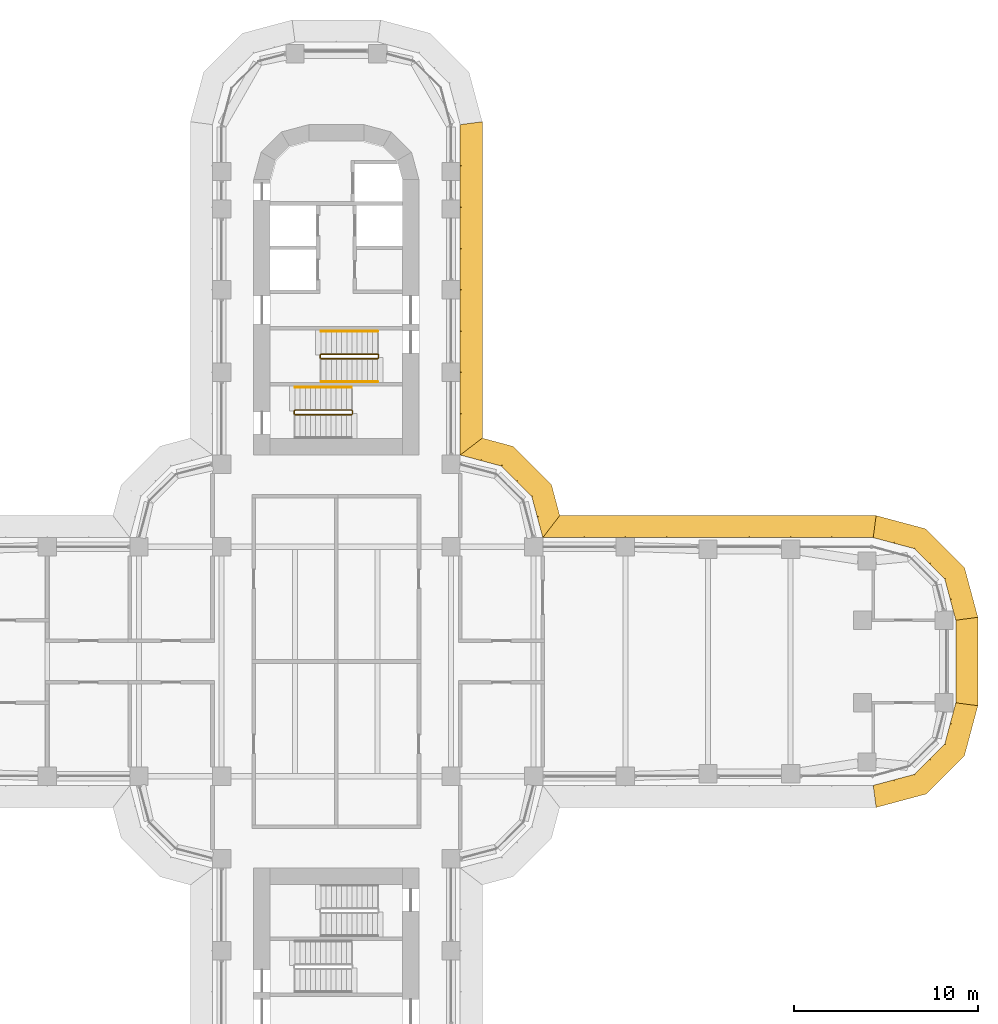
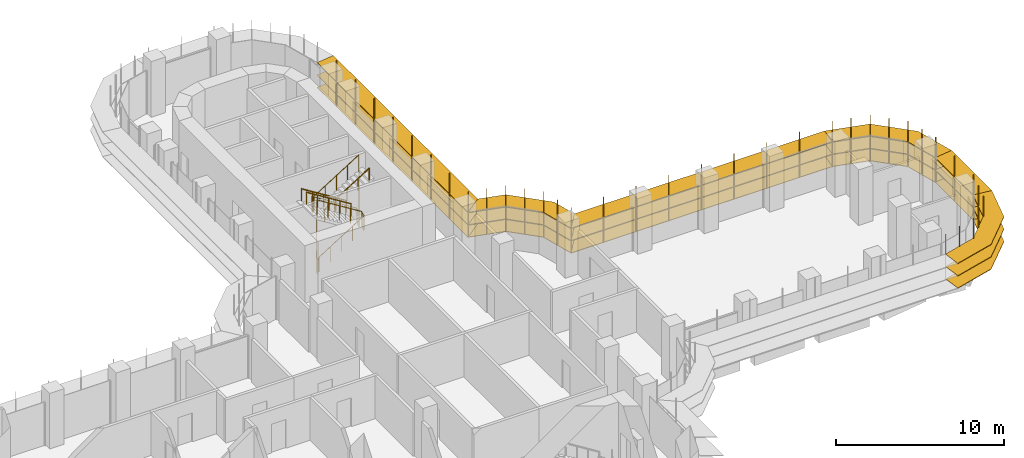
# One storey, part 22 of 23: 6 shading devices, 5 railings.
"""IFC4 building model written with IfcOpenShell, lengths in metres."""

from ifc_helpers import new_model, si_unit, direction, frame, origin, origin_2d, place, context, subcontext, project, spatial, polyline, circle, outline, extrude, faceted_brep, source, transform, mapped, material, type_object, element, save


model = new_model("IFC4")

# Units and contexts
model_context = context("Model", 3, precision=1e-05, world=origin(), true_north=direction((0.0, 1.0)))
body_context = subcontext(model_context, "Body", "Model", "MODEL_VIEW")
ifc_project = project(units=[si_unit("LENGTHUNIT", "METRE"), si_unit("AREAUNIT", "SQUARE_METRE"), si_unit("VOLUMEUNIT", "CUBIC_METRE"), si_unit("PLANEANGLEUNIT", "RADIAN"), si_unit("MASSUNIT", "GRAM", prefix="KILO")], contexts=[model_context])

# Site, building, storey
site_placement = place(None, origin())
site = spatial("IfcSite", under=ifc_project, at=site_placement, CompositionType="ELEMENT")
building_placement = place(site_placement, origin())
building = spatial("IfcBuilding", under=site, at=building_placement, Name="Zarbagh Exchange Tower", CompositionType="ELEMENT")
storey_placement = place(building_placement, frame((0.0, 0.0, 60.60009765625)))
storey = spatial("IfcBuildingStorey", under=building, at=storey_placement, Name="L13", CompositionType="ELEMENT", Elevation=60.60009765625)

# Railings
ifc_material_1 = material(Name="Stainless steel", Category="steel")
railing_type_1 = type_object("IfcRailingType", Name="Stair guard 1100 mm", PredefinedType="GUARDRAIL", material=ifc_material_1)
railing_1_placement = place(storey_placement, frame((-0.830078125, 16.5, 2.27490234375)))
element("IfcRailing", 1, at=railing_1_placement, inside=storey, type_object=railing_type_1, Name="ST1 stair guard 1", PredefinedType="GUARDRAIL", context=body_context, shape_type="SweptSolid", body=[
    extrude(circle(Radius=0.02392578125, at=origin_2d()), frame((0.0, 0.0, 1.076171875), z_axis=(0.847998304005, 0.0, 0.529998940003), x_axis=(0.0, 1.0, 0.0)), (0.0, 0.0, 1.0), 3.632080078125),
    extrude(circle(Radius=0.02392578125, at=origin_2d()), frame((3.080078125, 0.0, 3.0009765625), z_axis=(0.011914834358, 0.011914834358, -0.999858026644), x_axis=(-0.707106781187, 0.707106781187, 0.0)), (0.0, 0.0, 1.0), 4.200439453125),
    extrude(circle(Radius=0.02392578125, at=origin_2d()), frame((3.130126953125, 0.050048828125, -1.19873046875), z_axis=(0.0, 1.0, 0.0), x_axis=(-1.0, 0.0, 0.0)), (0.0, 0.0, 1.0), 0.14990234375),
    extrude(circle(Radius=0.02392578125, at=origin_2d()), frame((3.130126953125, 0.199951171875, -1.19873046875), z_axis=(-0.265383341853, 0.265383341853, 0.926899867156), x_axis=(-0.707106781187, -0.707106781187, 0.0)), (0.0, 0.0, 1.0), 0.1884765625),
    extrude(circle(Radius=0.02392578125, at=origin_2d()), frame((3.080078125, 0.25, -1.02392578125), z_axis=(-0.847998304005, 0.0, 0.529998940003), x_axis=(0.0, -1.0, 0.0)), (0.0, 0.0, 1.0), 3.632080078125),
    extrude(circle(Radius=0.02392578125, at=origin_2d()), frame((0.0, 0.25, 0.90087890625), z_axis=(-0.705375805398, -0.708833529934, 0.0), x_axis=(0.708833529934, -0.705375805398, 0.0)), (0.0, 0.0, 1.0), 0.070556640625),
    extrude(circle(Radius=0.02392578125, at=origin_2d()), frame((-0.0498046875, 0.199951171875, 0.90087890625), z_axis=(0.0, -1.0, 0.0), x_axis=(1.0, 0.0, 0.0)), (0.0, 0.0, 1.0), 0.14990234375),
    extrude(circle(Radius=0.02099609375, at=origin_2d()), origin(), (0.0, 0.0, 1.0), 1.052001953125),
    extrude(circle(Radius=0.02099609375, at=origin_2d()), frame((0.77001953125, 0.0, 0.481201171875)), (0.0, 0.0, 1.0), 1.052001953125),
    extrude(circle(Radius=0.02099609375, at=origin_2d()), frame((1.5400390625, 0.0, 0.96240234375)), (0.0, 0.0, 1.0), 1.052001953125),
    extrude(circle(Radius=0.02099609375, at=origin_2d()), frame((2.31005859375, 0.0, 1.44384765625)), (0.0, 0.0, 1.0), 1.052001953125),
    extrude(circle(Radius=0.02099609375, at=origin_2d()), frame((3.080078125, 0.0, 1.925048828125)), (0.0, 0.0, 1.0), 1.052001953125),
    extrude(circle(Radius=0.02099609375, at=origin_2d()), frame((3.092529296875, 0.012451171875, 0.875)), (0.0, 0.0, 1.0), 1.052001953125),
    extrude(circle(Radius=0.02099609375, at=origin_2d()), frame((3.10498046875, 0.02490234375, -0.1748046875)), (0.0, 0.0, 1.0), 1.052001953125),
    extrude(circle(Radius=0.02099609375, at=origin_2d()), frame((3.11767578125, 0.03759765625, -1.224853515625)), (0.0, 0.0, 1.0), 1.052001953125),
    extrude(circle(Radius=0.02099609375, at=origin_2d()), frame((3.130126953125, 0.050048828125, -2.27490234375)), (0.0, 0.0, 1.0), 1.052001953125),
    extrude(circle(Radius=0.02099609375, at=origin_2d()), frame((3.130126953125, 0.199951171875, -2.27490234375)), (0.0, 0.0, 1.0), 1.052001953125),
    extrude(circle(Radius=0.02099609375, at=origin_2d()), frame((3.080078125, 0.25, -2.10009765625)), (0.0, 0.0, 1.0), 1.052001953125),
    extrude(circle(Radius=0.02099609375, at=origin_2d()), frame((2.31005859375, 0.25, -1.618896484375)), (0.0, 0.0, 1.0), 1.052001953125),
    extrude(circle(Radius=0.02099609375, at=origin_2d()), frame((1.5400390625, 0.25, -1.1376953125)), (0.0, 0.0, 1.0), 1.052001953125),
    extrude(circle(Radius=0.02099609375, at=origin_2d()), frame((0.77001953125, 0.25, -0.65625)), (0.0, 0.0, 1.0), 1.052001953125),
    extrude(circle(Radius=0.02099609375, at=origin_2d()), frame((0.0, 0.25, -0.175048828125)), (0.0, 0.0, 1.0), 1.052001953125),
    extrude(circle(Radius=0.02099609375, at=origin_2d()), frame((-0.0498046875, 0.199951171875, -0.175048828125)), (0.0, 0.0, 1.0), 1.052001953125),
    extrude(circle(Radius=0.02099609375, at=origin_2d()), frame((-0.0498046875, 0.050048828125, -0.175048828125)), (0.0, 0.0, 1.0), 1.052001953125),
])
railing_2_placement = place(storey_placement, frame((0.8798828125, 13.5, 2.099853515625)))
element("IfcRailing", 2, at=railing_2_placement, inside=storey, type_object=railing_type_1, Name="ST2 stair guard 1", PredefinedType="GUARDRAIL", context=body_context, shape_type="SweptSolid", body=[
    extrude(circle(Radius=0.02392578125, at=origin_2d()), frame((0.0, 0.0, 1.076171875), z_axis=(0.0, 1.0, 0.0), x_axis=(-1.0, 0.0, 0.0)), (0.0, 0.0, 1.0), 0.14990234375),
    extrude(circle(Radius=0.02392578125, at=origin_2d()), frame((0.0, 0.14990234375, 1.076171875), z_axis=(-0.263862480399, 0.265155923931, 0.927399011991), x_axis=(-0.708833529934, -0.705375805398, 0.0)), (0.0, 0.0, 1.0), 0.188720703125),
    extrude(circle(Radius=0.02392578125, at=origin_2d()), frame((-0.0498046875, 0.199951171875, 1.2509765625), z_axis=(-0.847998304005, 0.0, 0.529998940003), x_axis=(0.0, -1.0, 0.0)), (0.0, 0.0, 1.0), 3.632080078125),
    extrude(circle(Radius=0.02392578125, at=origin_2d()), frame((-3.1298828125, 0.199951171875, 3.17626953125), z_axis=(-0.011914834358, -0.011914834358, -0.999858026644), x_axis=(0.707106781187, -0.707106781187, 0.0)), (0.0, 0.0, 1.0), 4.200439453125),
    extrude(circle(Radius=0.02392578125, at=origin_2d()), frame((-3.179931640625, 0.14990234375, -1.02392578125), z_axis=(0.0, -1.0, 0.0), x_axis=(1.0, 0.0, 0.0)), (0.0, 0.0, 1.0), 0.14990234375),
    extrude(circle(Radius=0.02392578125, at=origin_2d()), frame((-3.179931640625, 0.0, -1.02392578125), z_axis=(0.265383341853, -0.265383341853, 0.926899867156), x_axis=(0.707106781187, 0.707106781187, 0.0)), (0.0, 0.0, 1.0), 0.1884765625),
    extrude(circle(Radius=0.02392578125, at=origin_2d()), frame((-3.1298828125, -0.050048828125, -0.84912109375), z_axis=(0.847998304005, 0.0, 0.529998940003), x_axis=(0.0, 1.0, 0.0)), (0.0, 0.0, 1.0), 3.632080078125),
    extrude(circle(Radius=0.02099609375, at=origin_2d()), origin(), (0.0, 0.0, 1.0), 1.052001953125),
    extrude(circle(Radius=0.02099609375, at=origin_2d()), frame((0.0, 0.14990234375, 0.0)), (0.0, 0.0, 1.0), 1.052001953125),
    extrude(circle(Radius=0.02099609375, at=origin_2d()), frame((-0.0498046875, 0.199951171875, 0.175048828125)), (0.0, 0.0, 1.0), 1.052001953125),
    extrude(circle(Radius=0.02099609375, at=origin_2d()), frame((-0.81982421875, 0.199951171875, 0.65625)), (0.0, 0.0, 1.0), 1.052001953125),
    extrude(circle(Radius=0.02099609375, at=origin_2d()), frame((-1.58984375, 0.199951171875, 1.1376953125)), (0.0, 0.0, 1.0), 1.052001953125),
    extrude(circle(Radius=0.02099609375, at=origin_2d()), frame((-2.35986328125, 0.199951171875, 1.618896484375)), (0.0, 0.0, 1.0), 1.052001953125),
    extrude(circle(Radius=0.02099609375, at=origin_2d()), frame((-3.1298828125, 0.199951171875, 2.10009765625)), (0.0, 0.0, 1.0), 1.052001953125),
    extrude(circle(Radius=0.02099609375, at=origin_2d()), frame((-3.142333984375, 0.1875, 1.050048828125)), (0.0, 0.0, 1.0), 1.052001953125),
    extrude(circle(Radius=0.02099609375, at=origin_2d()), frame((-3.15478515625, 0.1748046875, 0.0)), (0.0, 0.0, 1.0), 1.052001953125),
    extrude(circle(Radius=0.02099609375, at=origin_2d()), frame((-3.16748046875, 0.162353515625, -1.0498046875)), (0.0, 0.0, 1.0), 1.052001953125),
    extrude(circle(Radius=0.02099609375, at=origin_2d()), frame((-3.179931640625, 0.14990234375, -2.099853515625)), (0.0, 0.0, 1.0), 1.052001953125),
    extrude(circle(Radius=0.02099609375, at=origin_2d()), frame((-3.179931640625, 0.0, -2.099853515625)), (0.0, 0.0, 1.0), 1.052001953125),
    extrude(circle(Radius=0.02099609375, at=origin_2d()), frame((-3.1298828125, -0.050048828125, -1.925048828125)), (0.0, 0.0, 1.0), 1.052001953125),
    extrude(circle(Radius=0.02099609375, at=origin_2d()), frame((-2.35986328125, -0.050048828125, -1.44384765625)), (0.0, 0.0, 1.0), 1.052001953125),
    extrude(circle(Radius=0.02099609375, at=origin_2d()), frame((-1.58984375, -0.050048828125, -0.96240234375)), (0.0, 0.0, 1.0), 1.052001953125),
    extrude(circle(Radius=0.02099609375, at=origin_2d()), frame((-0.81982421875, -0.050048828125, -0.481201171875)), (0.0, 0.0, 1.0), 1.052001953125),
    extrude(circle(Radius=0.02099609375, at=origin_2d()), frame((-0.0498046875, -0.050048828125, 0.0)), (0.0, 0.0, 1.0), 1.052001953125),
])
railing_type_2 = type_object("IfcRailingType", Name="Stair handrail 900 mm", PredefinedType="HANDRAIL", material=ifc_material_1)
railing_3_placement = place(storey_placement, frame((2.25, 18.0, 0.1748046875)))
element("IfcRailing", 3, at=railing_3_placement, inside=storey, type_object=railing_type_2, Name="ST1 stair handrail 1", PredefinedType="HANDRAIL", context=body_context, shape_type="SweptSolid", body=[
    extrude(circle(Radius=0.02392578125, at=origin_2d()), frame((0.0, 0.0, 0.8759765625), z_axis=(-0.847998304005, 0.0, 0.529998940003), x_axis=(0.0, -1.0, 0.0)), (0.0, 0.0, 1.0), 3.632080078125),
    extrude(circle(Radius=0.02099609375, at=origin_2d()), origin(), (0.0, 0.0, 1.0), 0.851806640625),
    extrude(circle(Radius=0.02099609375, at=origin_2d()), frame((-0.77001953125, 0.0, 0.481201171875)), (0.0, 0.0, 1.0), 0.851806640625),
    extrude(circle(Radius=0.02099609375, at=origin_2d()), frame((-1.5400390625, 0.0, 0.96240234375)), (0.0, 0.0, 1.0), 0.851806640625),
    extrude(circle(Radius=0.02099609375, at=origin_2d()), frame((-2.31005859375, 0.0, 1.44384765625)), (0.0, 0.0, 1.0), 0.851806640625),
    extrude(circle(Radius=0.02099609375, at=origin_2d()), frame((-3.080078125, 0.0, 1.925048828125)), (0.0, 0.0, 1.0), 0.851806640625),
])
railing_4_placement = place(storey_placement, frame((-0.830078125, 15.25, 2.27490234375)))
element("IfcRailing", 4, at=railing_4_placement, inside=storey, type_object=railing_type_2, Name="ST1 stair handrail 2", PredefinedType="HANDRAIL", context=body_context, shape_type="SweptSolid", body=[
    extrude(circle(Radius=0.02392578125, at=origin_2d()), frame((0.0, 0.0, 0.8759765625), z_axis=(0.847998304005, 0.0, 0.529998940003), x_axis=(0.0, 1.0, 0.0)), (0.0, 0.0, 1.0), 3.632080078125),
    extrude(circle(Radius=0.02099609375, at=origin_2d()), origin(), (0.0, 0.0, 1.0), 0.851806640625),
    extrude(circle(Radius=0.02099609375, at=origin_2d()), frame((0.77001953125, 0.0, 0.481201171875)), (0.0, 0.0, 1.0), 0.851806640625),
    extrude(circle(Radius=0.02099609375, at=origin_2d()), frame((1.5400390625, 0.0, 0.96240234375)), (0.0, 0.0, 1.0), 0.851806640625),
    extrude(circle(Radius=0.02099609375, at=origin_2d()), frame((2.31005859375, 0.0, 1.44384765625)), (0.0, 0.0, 1.0), 0.851806640625),
    extrude(circle(Radius=0.02099609375, at=origin_2d()), frame((3.080078125, 0.0, 1.925048828125)), (0.0, 0.0, 1.0), 0.851806640625),
])
railing_5_placement = place(storey_placement, frame((0.830078125, 14.949951171875, 2.27490234375)))
element("IfcRailing", 5, at=railing_5_placement, inside=storey, type_object=railing_type_2, Name="ST2 stair handrail 2", PredefinedType="HANDRAIL", context=body_context, shape_type="SweptSolid", body=[
    extrude(circle(Radius=0.02392578125, at=origin_2d()), frame((0.0, 0.0, 0.8759765625), z_axis=(-0.847998304005, 0.0, 0.529998940003), x_axis=(0.0, -1.0, 0.0)), (0.0, 0.0, 1.0), 3.632080078125),
    extrude(circle(Radius=0.02099609375, at=origin_2d()), origin(), (0.0, 0.0, 1.0), 0.851806640625),
    extrude(circle(Radius=0.02099609375, at=origin_2d()), frame((-0.77001953125, 0.0, 0.481201171875)), (0.0, 0.0, 1.0), 0.851806640625),
    extrude(circle(Radius=0.02099609375, at=origin_2d()), frame((-1.5400390625, 0.0, 0.96240234375)), (0.0, 0.0, 1.0), 0.851806640625),
    extrude(circle(Radius=0.02099609375, at=origin_2d()), frame((-2.31005859375, 0.0, 1.44384765625)), (0.0, 0.0, 1.0), 0.851806640625),
    extrude(circle(Radius=0.02099609375, at=origin_2d()), frame((-3.080078125, 0.0, 1.925048828125)), (0.0, 0.0, 1.0), 0.851806640625),
])

# Shading devices
ifc_material_2 = material(Name="Anodised aluminium blades and brackets", Category="aluminium")
shading_device_type = type_object("IfcShadingDeviceType", Name="SUNSHADE louvre band, 0 degree blades", PredefinedType="JALOUSIE", material=ifc_material_2)
shared_shape_1 = source(origin(), body_context, "Body", "Brep", [
    faceted_brep([(0.0, 0.0, 0.0), (0.0, 0.0, -0.0400390625), (-0.157958984375, -1.199951171875, -0.0400390625), (-0.157958984375, -1.199951171875, 0.0), (2.65087890625, -1.199951171875, 0.0), (2.65087890625, -1.199951171875, -0.0400390625), (2.329345703125, 0.0, -0.0400390625), (2.329345703125, 0.0, 0.0)], [[[0, 1, 2, 3]], [[4, 5, 6, 7]], [[0, 7, 6, 1]], [[1, 6, 5, 2]], [[2, 5, 4, 3]], [[3, 4, 7, 0]]]),
])
shared_shape_2 = source(origin(), body_context, "Body", "Brep", [
    faceted_brep([(0.0, 0.0, 0.0), (0.0, 0.0, -0.0400390625), (-0.321533203125, -1.199951171875, -0.0400390625), (-0.321533203125, -1.199951171875, 0.0), (2.65087890625, -1.199951171875, 0.0), (2.65087890625, -1.199951171875, -0.0400390625), (2.329345703125, 0.0, -0.0400390625), (2.329345703125, 0.0, 0.0)], [[[0, 1, 2, 3]], [[4, 5, 6, 7]], [[0, 7, 6, 1]], [[1, 6, 5, 2]], [[2, 5, 4, 3]], [[3, 4, 7, 0]]]),
])
shared_shape_3 = source(origin(), body_context, "Body", "Brep", [
    faceted_brep([(0.0, 0.0, 0.0), (0.0, 0.0, -0.0400390625), (-0.321533203125, -1.199951171875, -0.0400390625), (-0.321533203125, -1.199951171875, 0.0), (2.4873046875, -1.199951171875, 0.0), (2.4873046875, -1.199951171875, -0.0400390625), (2.329345703125, 0.0, -0.0400390625), (2.329345703125, 0.0, 0.0)], [[[0, 1, 2, 3]], [[4, 5, 6, 7]], [[0, 7, 6, 1]], [[1, 6, 5, 2]], [[2, 5, 4, 3]], [[3, 4, 7, 0]]]),
])
shared_shape_4 = source(origin(), body_context, "Body", "SweptSolid", [
    extrude(outline(polyline([(0.0, -0.012451171875), (0.06005859375, -0.012451171875), (0.06005859375, 0.012451171875), (0.0, 0.012451171875), (0.0, -0.012451171875)])), origin(), (0.0, 0.0, 1.0), 3.35009765625),
])
placement = place(storey_placement, origin())
element("IfcShadingDevice", 6, at=placement, inside=storey, type_object=shading_device_type, Name="SS05 sunshade band", PredefinedType="JALOUSIE", context=body_context, shape_type="MappedRepresentation", body=[
    mapped(shared_shape_1, transform((29.25, -6.75, 2.699951171875), x_axis=(0.965924289636, 0.258824779902, 0.0), y_axis=(-0.258824779902, 0.965924289636, 0.0), z_axis=(0.0, 0.0, 1.0))),
    mapped(shared_shape_1, transform((29.25, -6.75, 1.7998046875), x_axis=(0.965924289636, 0.258824779902, 0.0), y_axis=(-0.258824779902, 0.965924289636, 0.0), z_axis=(0.0, 0.0, 1.0))),
    mapped(shared_shape_1, transform((29.25, -6.75, 0.89990234375), x_axis=(0.965924289636, 0.258824779902, 0.0), y_axis=(-0.258824779902, 0.965924289636, 0.0), z_axis=(0.0, 0.0, 1.0))),
    mapped(shared_shape_2, transform((31.5, -6.147216796875, 2.699951171875), x_axis=(0.707106781187, 0.707106781187, 0.0), y_axis=(-0.707106781187, 0.707106781187, 0.0), z_axis=(0.0, 0.0, 1.0))),
    mapped(shared_shape_2, transform((31.5, -6.147216796875, 1.7998046875), x_axis=(0.707106781187, 0.707106781187, 0.0), y_axis=(-0.707106781187, 0.707106781187, 0.0), z_axis=(0.0, 0.0, 1.0))),
    mapped(shared_shape_2, transform((31.5, -6.147216796875, 0.89990234375), x_axis=(0.707106781187, 0.707106781187, 0.0), y_axis=(-0.707106781187, 0.707106781187, 0.0), z_axis=(0.0, 0.0, 1.0))),
    mapped(shared_shape_3, transform((33.147216796875, -4.5, 2.699951171875), x_axis=(0.258824779902, 0.965924289636, 0.0), y_axis=(-0.965924289636, 0.258824779902, 0.0), z_axis=(0.0, 0.0, 1.0))),
    mapped(shared_shape_3, transform((33.147216796875, -4.5, 1.7998046875), x_axis=(0.258824779902, 0.965924289636, 0.0), y_axis=(-0.965924289636, 0.258824779902, 0.0), z_axis=(0.0, 0.0, 1.0))),
    mapped(shared_shape_3, transform((33.147216796875, -4.5, 0.89990234375), x_axis=(0.258824779902, 0.965924289636, 0.0), y_axis=(-0.965924289636, 0.258824779902, 0.0), z_axis=(0.0, 0.0, 1.0))),
    mapped(shared_shape_4, transform((29.25, -6.75, 0.829833984375), x_axis=(0.130529263012, -0.991444457092, 0.0), y_axis=(0.991444457092, 0.130529263012, 0.0), z_axis=(0.0, 0.0, 1.0))),
    mapped(shared_shape_4, transform((30.375, -6.448486328125, 0.829833984375), x_axis=(0.258825058029, -0.96592421511, 0.0), y_axis=(0.96592421511, 0.258825058029, 0.0), z_axis=(0.0, 0.0, 1.0))),
    mapped(shared_shape_4, transform((31.5, -6.147216796875, 0.829833984375), x_axis=(0.50000275701, -0.866023812018, 0.0), y_axis=(0.866023812018, 0.50000275701, 0.0), z_axis=(0.0, 0.0, 1.0))),
    mapped(shared_shape_4, transform((32.323486328125, -5.323486328125, 0.829833984375), x_axis=(0.707106781187, -0.707106781187, 0.0), y_axis=(0.707106781187, 0.707106781187, 0.0), z_axis=(0.0, 0.0, 1.0))),
    mapped(shared_shape_4, transform((33.147216796875, -4.5, 0.829833984375), x_axis=(0.866023812018, -0.50000275701, 0.0), y_axis=(0.50000275701, 0.866023812018, 0.0), z_axis=(0.0, 0.0, 1.0))),
    mapped(shared_shape_4, transform((33.448486328125, -3.375, 0.829833984375), x_axis=(0.96592421511, -0.258825058029, 0.0), y_axis=(0.258825058029, 0.96592421511, 0.0), z_axis=(0.0, 0.0, 1.0))),
])
element("IfcShadingDevice", 7, at=placement, inside=storey, type_object=shading_device_type, Name="SS07 sunshade band", PredefinedType="JALOUSIE", context=body_context, shape_type="MappedRepresentation", body=[
    mapped(shared_shape_1, transform((33.75, 2.25, 2.699951171875), x_axis=(-0.258824779902, 0.965924289636, 0.0), y_axis=(-0.965924289636, -0.258824779902, 0.0), z_axis=(0.0, 0.0, 1.0))),
    mapped(shared_shape_1, transform((33.75, 2.25, 1.7998046875), x_axis=(-0.258824779902, 0.965924289636, 0.0), y_axis=(-0.965924289636, -0.258824779902, 0.0), z_axis=(0.0, 0.0, 1.0))),
    mapped(shared_shape_1, transform((33.75, 2.25, 0.89990234375), x_axis=(-0.258824779902, 0.965924289636, 0.0), y_axis=(-0.965924289636, -0.258824779902, 0.0), z_axis=(0.0, 0.0, 1.0))),
    mapped(shared_shape_2, transform((33.147216796875, 4.5, 2.699951171875), x_axis=(-0.707106781187, 0.707106781187, 0.0), y_axis=(-0.707106781187, -0.707106781187, 0.0), z_axis=(0.0, 0.0, 1.0))),
    mapped(shared_shape_2, transform((33.147216796875, 4.5, 1.7998046875), x_axis=(-0.707106781187, 0.707106781187, 0.0), y_axis=(-0.707106781187, -0.707106781187, 0.0), z_axis=(0.0, 0.0, 1.0))),
    mapped(shared_shape_2, transform((33.147216796875, 4.5, 0.89990234375), x_axis=(-0.707106781187, 0.707106781187, 0.0), y_axis=(-0.707106781187, -0.707106781187, 0.0), z_axis=(0.0, 0.0, 1.0))),
    mapped(shared_shape_3, transform((31.5, 6.147216796875, 2.699951171875), x_axis=(-0.965924289636, 0.258824779902, 0.0), y_axis=(-0.258824779902, -0.965924289636, 0.0), z_axis=(0.0, 0.0, 1.0))),
    mapped(shared_shape_3, transform((31.5, 6.147216796875, 1.7998046875), x_axis=(-0.965924289636, 0.258824779902, 0.0), y_axis=(-0.258824779902, -0.965924289636, 0.0), z_axis=(0.0, 0.0, 1.0))),
    mapped(shared_shape_3, transform((31.5, 6.147216796875, 0.89990234375), x_axis=(-0.965924289636, 0.258824779902, 0.0), y_axis=(-0.258824779902, -0.965924289636, 0.0), z_axis=(0.0, 0.0, 1.0))),
    mapped(shared_shape_4, transform((33.75, 2.25, 0.829833984375), x_axis=(0.991444457092, 0.130529263012, 0.0), y_axis=(-0.130529263012, 0.991444457092, 0.0), z_axis=(0.0, 0.0, 1.0))),
    mapped(shared_shape_4, transform((33.448486328125, 3.375, 0.829833984375), x_axis=(0.96592421511, 0.258825058029, 0.0), y_axis=(-0.258825058029, 0.96592421511, 0.0), z_axis=(0.0, 0.0, 1.0))),
    mapped(shared_shape_4, transform((33.147216796875, 4.5, 0.829833984375), x_axis=(0.866023812018, 0.50000275701, 0.0), y_axis=(-0.50000275701, 0.866023812018, 0.0), z_axis=(0.0, 0.0, 1.0))),
    mapped(shared_shape_4, transform((32.323486328125, 5.323486328125, 0.829833984375), x_axis=(0.707106781187, 0.707106781187, 0.0), y_axis=(-0.707106781187, 0.707106781187, 0.0), z_axis=(0.0, 0.0, 1.0))),
    mapped(shared_shape_4, transform((31.5, 6.147216796875, 0.829833984375), x_axis=(0.50000275701, 0.866023812018, 0.0), y_axis=(-0.866023812018, 0.50000275701, 0.0), z_axis=(0.0, 0.0, 1.0))),
    mapped(shared_shape_4, transform((30.375, 6.448486328125, 0.829833984375), x_axis=(0.258825058029, 0.96592421511, 0.0), y_axis=(-0.96592421511, 0.258825058029, 0.0), z_axis=(0.0, 0.0, 1.0))),
])
shared_shape_5 = source(origin(), body_context, "Body", "Brep", [
    faceted_brep([(0.0, 0.0, 0.0), (0.0, 0.0, -0.0400390625), (0.9208984375, -1.199951171875, -0.0400390625), (0.9208984375, -1.199951171875, 0.0), (2.65087890625, -1.199951171875, 0.0), (2.65087890625, -1.199951171875, -0.0400390625), (2.329345703125, 0.0, -0.0400390625), (2.329345703125, 0.0, 0.0)], [[[0, 1, 2, 3]], [[4, 5, 6, 7]], [[0, 7, 6, 1]], [[1, 6, 5, 2]], [[2, 5, 4, 3]], [[3, 4, 7, 0]]]),
])
shared_shape_6 = source(origin(), body_context, "Body", "Brep", [
    faceted_brep([(0.0, 0.0, 0.0), (0.0, 0.0, -0.0400390625), (-0.321533203125, -1.199951171875, -0.0400390625), (-0.321533203125, -1.199951171875, 0.0), (1.40869140625, -1.199951171875, 0.0), (1.40869140625, -1.199951171875, -0.0400390625), (2.329345703125, 0.0, -0.0400390625), (2.329345703125, 0.0, 0.0)], [[[0, 1, 2, 3]], [[4, 5, 6, 7]], [[0, 7, 6, 1]], [[1, 6, 5, 2]], [[2, 5, 4, 3]], [[3, 4, 7, 0]]]),
])
element("IfcShadingDevice", 8, at=placement, inside=storey, type_object=shading_device_type, Name="SS09 sunshade band", PredefinedType="JALOUSIE", context=body_context, shape_type="MappedRepresentation", body=[
    mapped(shared_shape_5, transform((11.25, 6.75, 2.699951171875), x_axis=(-0.258824779902, 0.965924289636, 0.0), y_axis=(-0.965924289636, -0.258824779902, 0.0), z_axis=(0.0, 0.0, 1.0))),
    mapped(shared_shape_5, transform((11.25, 6.75, 1.7998046875), x_axis=(-0.258824779902, 0.965924289636, 0.0), y_axis=(-0.965924289636, -0.258824779902, 0.0), z_axis=(0.0, 0.0, 1.0))),
    mapped(shared_shape_5, transform((11.25, 6.75, 0.89990234375), x_axis=(-0.258824779902, 0.965924289636, 0.0), y_axis=(-0.965924289636, -0.258824779902, 0.0), z_axis=(0.0, 0.0, 1.0))),
    mapped(shared_shape_2, transform((10.647216796875, 9.0, 2.699951171875), x_axis=(-0.707106781187, 0.707106781187, 0.0), y_axis=(-0.707106781187, -0.707106781187, 0.0), z_axis=(0.0, 0.0, 1.0))),
    mapped(shared_shape_2, transform((10.647216796875, 9.0, 1.7998046875), x_axis=(-0.707106781187, 0.707106781187, 0.0), y_axis=(-0.707106781187, -0.707106781187, 0.0), z_axis=(0.0, 0.0, 1.0))),
    mapped(shared_shape_2, transform((10.647216796875, 9.0, 0.89990234375), x_axis=(-0.707106781187, 0.707106781187, 0.0), y_axis=(-0.707106781187, -0.707106781187, 0.0), z_axis=(0.0, 0.0, 1.0))),
    mapped(shared_shape_6, transform((9.0, 10.647216796875, 2.699951171875), x_axis=(-0.965924289636, 0.258824779902, 0.0), y_axis=(-0.258824779902, -0.965924289636, 0.0), z_axis=(0.0, 0.0, 1.0))),
    mapped(shared_shape_6, transform((9.0, 10.647216796875, 1.7998046875), x_axis=(-0.965924289636, 0.258824779902, 0.0), y_axis=(-0.258824779902, -0.965924289636, 0.0), z_axis=(0.0, 0.0, 1.0))),
    mapped(shared_shape_6, transform((9.0, 10.647216796875, 0.89990234375), x_axis=(-0.965924289636, 0.258824779902, 0.0), y_axis=(-0.258824779902, -0.965924289636, 0.0), z_axis=(0.0, 0.0, 1.0))),
    mapped(shared_shape_4, transform((11.25, 6.75, 0.829833984375), x_axis=(0.608758892, 0.793355287, 0.0), y_axis=(-0.793355287, 0.608758892, 0.0), z_axis=(0.0, 0.0, 1.0))),
    mapped(shared_shape_4, transform((10.948486328125, 7.875, 0.829833984375), x_axis=(0.96592421511, 0.258825058029, 0.0), y_axis=(-0.258825058029, 0.96592421511, 0.0), z_axis=(0.0, 0.0, 1.0))),
    mapped(shared_shape_4, transform((10.647216796875, 9.0, 0.829833984375), x_axis=(0.866023812018, 0.50000275701, 0.0), y_axis=(-0.50000275701, 0.866023812018, 0.0), z_axis=(0.0, 0.0, 1.0))),
    mapped(shared_shape_4, transform((9.823486328125, 9.823486328125, 0.829833984375), x_axis=(0.707106781187, 0.707106781187, 0.0), y_axis=(-0.707106781187, 0.707106781187, 0.0), z_axis=(0.0, 0.0, 1.0))),
    mapped(shared_shape_4, transform((9.0, 10.647216796875, 0.829833984375), x_axis=(0.50000275701, 0.866023812018, 0.0), y_axis=(-0.866023812018, 0.50000275701, 0.0), z_axis=(0.0, 0.0, 1.0))),
    mapped(shared_shape_4, transform((7.875, 10.948486328125, 0.829833984375), x_axis=(0.258825058029, 0.96592421511, 0.0), y_axis=(-0.96592421511, 0.258825058029, 0.0), z_axis=(0.0, 0.0, 1.0))),
])
shared_shape_7 = source(origin(), body_context, "Body", "Brep", [
    faceted_brep([(0.0, 0.0, 0.0), (0.0, 0.0, -0.0400390625), (-0.157958984375, -1.199951171875, -0.0400390625), (-0.157958984375, -1.199951171875, 0.0), (4.657958984375, -1.199951171875, 0.0), (4.657958984375, -1.199951171875, -0.0400390625), (4.5, 0.0, -0.0400390625), (4.5, 0.0, 0.0)], [[[0, 1, 2, 3]], [[4, 5, 6, 7]], [[0, 7, 6, 1]], [[1, 6, 5, 2]], [[2, 5, 4, 3]], [[3, 4, 7, 0]]]),
])
element("IfcShadingDevice", 9, at=placement, inside=storey, type_object=shading_device_type, Name="SS06 sunshade band", PredefinedType="JALOUSIE", context=body_context, shape_type="MappedRepresentation", body=[
    mapped(shared_shape_7, transform((33.75, -2.25, 2.699951171875), x_axis=(0.0, 1.0, 0.0), y_axis=(-1.0, 0.0, 0.0), z_axis=(0.0, 0.0, 1.0))),
    mapped(shared_shape_7, transform((33.75, -2.25, 1.7998046875), x_axis=(0.0, 1.0, 0.0), y_axis=(-1.0, 0.0, 0.0), z_axis=(0.0, 0.0, 1.0))),
    mapped(shared_shape_7, transform((33.75, -2.25, 0.89990234375), x_axis=(0.0, 1.0, 0.0), y_axis=(-1.0, 0.0, 0.0), z_axis=(0.0, 0.0, 1.0))),
    mapped(shared_shape_4, transform((33.75, -2.25, 0.829833984375), x_axis=(0.991444457092, -0.130529263012, 0.0), y_axis=(0.130529263012, 0.991444457092, 0.0), z_axis=(0.0, 0.0, 1.0))),
    mapped(shared_shape_4, transform((33.75, 0.0, 0.829833984375), x_axis=(1.0, 0.0, 0.0), y_axis=(0.0, 1.0, 0.0), z_axis=(0.0, 0.0, 1.0))),
])
shared_shape_8 = source(origin(), body_context, "Body", "Brep", [
    faceted_brep([(0.0, 0.0, 0.0), (0.0, 0.0, -0.0400390625), (-0.157958984375, -1.199951171875, -0.0400390625), (-0.157958984375, -1.199951171875, 0.0), (17.0791015625, -1.199951171875, 0.0), (17.0791015625, -1.199951171875, -0.0400390625), (18.0, 0.0, -0.0400390625), (18.0, 0.0, 0.0)], [[[0, 1, 2, 3]], [[4, 5, 6, 7]], [[0, 7, 6, 1]], [[1, 6, 5, 2]], [[2, 5, 4, 3]], [[3, 4, 7, 0]]]),
])
element("IfcShadingDevice", 10, at=placement, inside=storey, type_object=shading_device_type, Name="SS08 sunshade band", PredefinedType="JALOUSIE", context=body_context, shape_type="MappedRepresentation", body=[
    mapped(shared_shape_8, transform((29.25, 6.75, 2.699951171875), x_axis=(-1.0, 0.0, 0.0), y_axis=(0.0, -1.0, 0.0), z_axis=(0.0, 0.0, 1.0))),
    mapped(shared_shape_8, transform((29.25, 6.75, 1.7998046875), x_axis=(-1.0, 0.0, 0.0), y_axis=(0.0, -1.0, 0.0), z_axis=(0.0, 0.0, 1.0))),
    mapped(shared_shape_8, transform((29.25, 6.75, 0.89990234375), x_axis=(-1.0, 0.0, 0.0), y_axis=(0.0, -1.0, 0.0), z_axis=(0.0, 0.0, 1.0))),
    mapped(shared_shape_4, transform((29.25, 6.75, 0.829833984375), x_axis=(0.130529263012, 0.991444457092, 0.0), y_axis=(-0.991444457092, 0.130529263012, 0.0), z_axis=(0.0, 0.0, 1.0))),
    mapped(shared_shape_4, transform((27.0, 6.75, 0.829833984375), x_axis=(0.0, 1.0, 0.0), y_axis=(-1.0, 0.0, 0.0), z_axis=(0.0, 0.0, 1.0))),
    mapped(shared_shape_4, transform((24.75, 6.75, 0.829833984375), x_axis=(0.0, 1.0, 0.0), y_axis=(-1.0, 0.0, 0.0), z_axis=(0.0, 0.0, 1.0))),
    mapped(shared_shape_4, transform((22.5, 6.75, 0.829833984375), x_axis=(0.0, 1.0, 0.0), y_axis=(-1.0, 0.0, 0.0), z_axis=(0.0, 0.0, 1.0))),
    mapped(shared_shape_4, transform((20.25, 6.75, 0.829833984375), x_axis=(0.0, 1.0, 0.0), y_axis=(-1.0, 0.0, 0.0), z_axis=(0.0, 0.0, 1.0))),
    mapped(shared_shape_4, transform((18.0, 6.75, 0.829833984375), x_axis=(0.0, 1.0, 0.0), y_axis=(-1.0, 0.0, 0.0), z_axis=(0.0, 0.0, 1.0))),
    mapped(shared_shape_4, transform((15.75, 6.75, 0.829833984375), x_axis=(0.0, 1.0, 0.0), y_axis=(-1.0, 0.0, 0.0), z_axis=(0.0, 0.0, 1.0))),
    mapped(shared_shape_4, transform((13.5, 6.75, 0.829833984375), x_axis=(0.0, 1.0, 0.0), y_axis=(-1.0, 0.0, 0.0), z_axis=(0.0, 0.0, 1.0))),
])
shared_shape_9 = source(origin(), body_context, "Body", "Brep", [
    faceted_brep([(0.0, 0.0, 0.0), (0.0, 0.0, -0.0400390625), (0.9208984375, -1.199951171875, -0.0400390625), (0.9208984375, -1.199951171875, 0.0), (18.157958984375, -1.199951171875, 0.0), (18.157958984375, -1.199951171875, -0.0400390625), (18.0, 0.0, -0.0400390625), (18.0, 0.0, 0.0)], [[[0, 1, 2, 3]], [[4, 5, 6, 7]], [[0, 7, 6, 1]], [[1, 6, 5, 2]], [[2, 5, 4, 3]], [[3, 4, 7, 0]]]),
])
element("IfcShadingDevice", 11, at=placement, inside=storey, type_object=shading_device_type, Name="SS10 sunshade band", PredefinedType="JALOUSIE", context=body_context, shape_type="MappedRepresentation", body=[
    mapped(shared_shape_9, transform((6.75, 11.25, 2.699951171875), x_axis=(0.0, 1.0, 0.0), y_axis=(-1.0, 0.0, 0.0), z_axis=(0.0, 0.0, 1.0))),
    mapped(shared_shape_9, transform((6.75, 11.25, 1.7998046875), x_axis=(0.0, 1.0, 0.0), y_axis=(-1.0, 0.0, 0.0), z_axis=(0.0, 0.0, 1.0))),
    mapped(shared_shape_9, transform((6.75, 11.25, 0.89990234375), x_axis=(0.0, 1.0, 0.0), y_axis=(-1.0, 0.0, 0.0), z_axis=(0.0, 0.0, 1.0))),
    mapped(shared_shape_4, transform((6.75, 11.25, 0.829833984375), x_axis=(0.793355287, 0.608758892, 0.0), y_axis=(-0.608758892, 0.793355287, 0.0), z_axis=(0.0, 0.0, 1.0))),
    mapped(shared_shape_4, transform((6.75, 13.5, 0.829833984375), x_axis=(1.0, 0.0, 0.0), y_axis=(0.0, 1.0, 0.0), z_axis=(0.0, 0.0, 1.0))),
    mapped(shared_shape_4, transform((6.75, 15.75, 0.829833984375), x_axis=(1.0, 0.0, 0.0), y_axis=(0.0, 1.0, 0.0), z_axis=(0.0, 0.0, 1.0))),
    mapped(shared_shape_4, transform((6.75, 18.0, 0.829833984375), x_axis=(1.0, 0.0, 0.0), y_axis=(0.0, 1.0, 0.0), z_axis=(0.0, 0.0, 1.0))),
    mapped(shared_shape_4, transform((6.75, 20.25, 0.829833984375), x_axis=(1.0, 0.0, 0.0), y_axis=(0.0, 1.0, 0.0), z_axis=(0.0, 0.0, 1.0))),
    mapped(shared_shape_4, transform((6.75, 22.5, 0.829833984375), x_axis=(1.0, 0.0, 0.0), y_axis=(0.0, 1.0, 0.0), z_axis=(0.0, 0.0, 1.0))),
    mapped(shared_shape_4, transform((6.75, 24.75, 0.829833984375), x_axis=(1.0, 0.0, 0.0), y_axis=(0.0, 1.0, 0.0), z_axis=(0.0, 0.0, 1.0))),
    mapped(shared_shape_4, transform((6.75, 27.0, 0.829833984375), x_axis=(1.0, 0.0, 0.0), y_axis=(0.0, 1.0, 0.0), z_axis=(0.0, 0.0, 1.0))),
])

save(model, "model.ifc")
